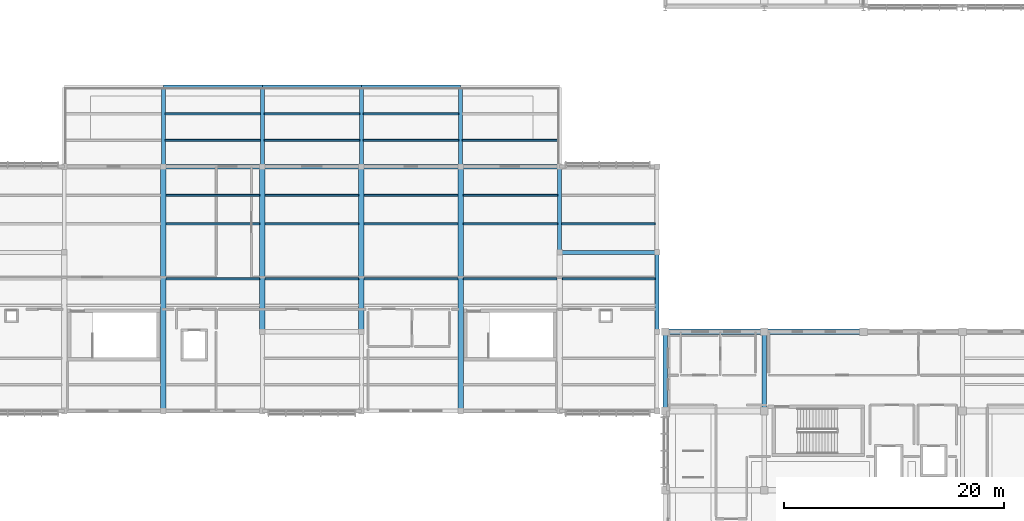
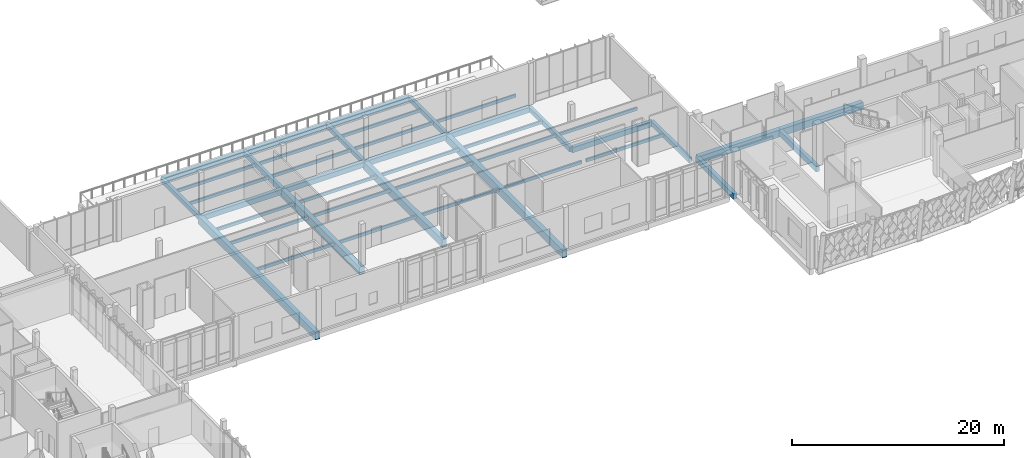
# One storey, part 55 of 177: 43 beams.
"""IFC4 building model written with IfcOpenShell, lengths in metres."""

import ifcopenshell
import ifcopenshell.guid

model = None  # the IFC model being written
_history = None  # IfcOwnerHistory: only IFC2X3 demands one
_inside = {}  # id of a spatial element -> (the spatial element, [elements in it])
_under = {}  # id of a project, library or spatial element -> (it, [spatial elements below it])
_declared = {}  # id of a project -> (the project, [libraries it declares])
_typed = {}  # id of a type object -> (the type object, [elements of that type])
_made_of = {}  # id of a material, layer set ... -> (it, [elements and type objects made of it])


def new_model(schema):
    """Start an empty IFC model of exactly this schema.

    Asked for "IFC4X3", IfcOpenShell would pick the latest addendum, in which some entities
    have other attributes; the version numbers below select the first issue.
    IFC2X3 requires an IfcOwnerHistory on every rooted entity: one is made here for all.
    """
    global model, _history
    if schema == "IFC4X3":
        model = ifcopenshell.file(schema_version=(4, 3, 0, 0))
    else:
        model = ifcopenshell.file(schema=schema)
    _inside.clear()
    _under.clear()
    _declared.clear()
    _typed.clear()
    _made_of.clear()
    _history = None
    if model.schema == "IFC2X3":
        org = make("IfcOrganization", Name="unknown")
        user = make(
            "IfcPersonAndOrganization",
            ThePerson=make("IfcPerson", FamilyName="unknown"),
            TheOrganization=org,
        )
        app = make(
            "IfcApplication",
            ApplicationDeveloper=org,
            Version="unknown",
            ApplicationFullName="unknown",
            ApplicationIdentifier="unknown",
        )
        _history = make(
            "IfcOwnerHistory",
            OwningUser=user,
            OwningApplication=app,
            ChangeAction="ADDED",
            CreationDate=0,
        )
    return model


def make(cls, **values):
    """One entity of the class cls with the attributes given. An attribute that is None is left unset."""
    return model.create_entity(
        cls, **{name: value for name, value in values.items() if value is not None}
    )


def rooted(cls, **values):
    """An entity with a GlobalId (a new one), such as an element, a storey or a relation."""
    return make(cls, GlobalId=ifcopenshell.guid.new(), OwnerHistory=_history, **values)


def si_unit(unit_type, name, prefix=None):
    """IfcSIUnit, for example si_unit("LENGTHUNIT", "METRE", prefix="MILLI")."""
    return make("IfcSIUnit", UnitType=unit_type, Prefix=prefix, Name=name)


def assignment(units):
    """IfcUnitAssignment: the units of a project."""
    return None if units is None else make("IfcUnitAssignment", Units=units)


def point(xyz):
    """IfcCartesianPoint."""
    return None if xyz is None else make("IfcCartesianPoint", Coordinates=xyz)


def direction(xyz):
    """IfcDirection."""
    return None if xyz is None else make("IfcDirection", DirectionRatios=xyz)


def frame(location, z_axis=None, x_axis=None):
    """IfcAxis2Placement3D, a coordinate frame: its origin and axes. An axis left out is left unset."""
    return make(
        "IfcAxis2Placement3D",
        Location=point(location),
        Axis=direction(z_axis),
        RefDirection=direction(x_axis),
    )


def frame_2d(location, x_axis=None):
    """IfcAxis2Placement2D, a coordinate frame in the plane: its origin and x axis."""
    return make(
        "IfcAxis2Placement2D", Location=point(location), RefDirection=direction(x_axis)
    )


def origin():
    """The frame at (0, 0, 0) with its axes left unset."""
    return frame((0.0, 0.0, 0.0))


def origin_2d():
    """The frame at (0, 0) in the plane with its x axis left unset."""
    return frame_2d((0.0, 0.0))


def place(relative_to, where):
    """IfcLocalPlacement: puts the frame where relative to a parent placement (None: the world)."""
    return make(
        "IfcLocalPlacement", PlacementRelTo=relative_to, RelativePlacement=where
    )


def context(
    kind, dimensions, precision=None, world=None, true_north=None, identifier=None
):
    """IfcGeometricRepresentationContext, for example the 3D "Model" context."""
    return make(
        "IfcGeometricRepresentationContext",
        ContextIdentifier=identifier,
        ContextType=kind,
        CoordinateSpaceDimension=dimensions,
        Precision=precision,
        WorldCoordinateSystem=world,
        TrueNorth=true_north,
    )


def subcontext(parent, identifier, kind, view, scale=None):
    """IfcGeometricRepresentationSubContext, for example "Body" below "Model"."""
    return make(
        "IfcGeometricRepresentationSubContext",
        ContextIdentifier=identifier,
        ContextType=kind,
        ParentContext=parent,
        TargetScale=scale,
        TargetView=view,
    )


def project(units=None, contexts=None):
    """IfcProject with its units and contexts."""
    return rooted(
        "IfcProject",
        Name="project",
        RepresentationContexts=contexts,
        UnitsInContext=assignment(units),
    )


def spatial(cls, under=None, at=None, **own):
    """A site, building, storey or space (cls), placed at a placement, below another one or the project."""
    s = rooted(cls, ObjectPlacement=at, **own)
    if under is not None:
        _under.setdefault(under.id(), (under, []))[1].append(s)
    return s


def profile(cls, at=None, kind="AREA", **sizes):
    """A parametric profile (cls). Its sizes go by their IFC names, for example OverallWidth=200.0."""
    return make(cls, ProfileType=kind, Position=at, **sizes)


def rectangle(**sizes):
    """IfcRectangleProfileDef."""
    return profile("IfcRectangleProfileDef", **sizes)


def extrude(swept, where, along, depth):
    """IfcExtrudedAreaSolid: the profile swept, set in the frame where, extruded along a direction by depth."""
    return make(
        "IfcExtrudedAreaSolid",
        SweptArea=swept,
        Position=where,
        ExtrudedDirection=direction(along),
        Depth=depth,
    )


def shape(context_of_items, identifier, shape_type, items):
    """IfcShapeRepresentation: the items that make up one representation, for example the "Body"."""
    return make(
        "IfcShapeRepresentation",
        ContextOfItems=context_of_items,
        RepresentationIdentifier=identifier,
        RepresentationType=shape_type,
        Items=items,
    )


def material(Name=None, Category=None):
    """IfcMaterial."""
    return make("IfcMaterial", Name=Name, Category=Category)


def material_profile(
    of_material, cross_section, Name=None, Category=None, Priority=None
):
    """IfcMaterialProfile: a cross section and its material."""
    return make(
        "IfcMaterialProfile",
        Name=Name,
        Material=of_material,
        Profile=cross_section,
        Priority=Priority,
        Category=Category,
    )


def profile_set(profiles, Name=None, composite=None):
    """IfcMaterialProfileSet."""
    return make(
        "IfcMaterialProfileSet",
        Name=Name,
        MaterialProfiles=profiles,
        CompositeProfile=composite,
    )


def made_of(thing, what):
    """Note that an element or type object is made of a material, layer set ...; save() writes the relation."""
    if what is not None:
        _made_of.setdefault(what.id(), (what, []))[1].append(thing)
    return thing


def type_object(cls, material=None, **own):
    """A type object (cls), such as IfcWallType, which elements share."""
    return made_of(rooted(cls, **own), material)


def element(
    cls,
    number,
    at=None,
    inside=None,
    cuts=None,
    type_object=None,
    material=None,
    context=None,
    identifier="Body",
    shape_type=None,
    held_by="IfcProductDefinitionShape",
    body=None,
    shapes=None,
    **own,
):
    """One element of the class cls, such as IfcWall. Its Tag is "e" and its number.

    at: its placement. inside: the storey or other place that contains it. cuts: it is an
    opening in that element (IfcRelVoidsElement). A single representation is given by context,
    identifier, shape_type and body (its items); several are given by shapes. held_by: the class
    of the entity that holds the representations. save() writes the other relations.
    """
    e = rooted(cls, Tag="e%d" % number, ObjectPlacement=at, **own)
    if body is not None:
        shapes = [shape(context, identifier, shape_type, body)]
    if shapes is not None:
        e.Representation = make(held_by, Representations=shapes)
    if inside is not None:
        _inside.setdefault(inside.id(), (inside, []))[1].append(e)
    if cuts is not None:
        rooted(
            "IfcRelVoidsElement", RelatingBuildingElement=cuts, RelatedOpeningElement=e
        )
    if type_object is not None:
        _typed.setdefault(type_object.id(), (type_object, []))[1].append(e)
    return made_of(e, material)


def aggregate(whole, parts):
    """IfcRelAggregates: a whole, such as a stair, and the parts it consists of."""
    return rooted("IfcRelAggregates", RelatingObject=whole, RelatedObjects=parts)


def save(model, path):
    """Write the relations noted so far, then the file.

    IfcRelAggregates (storeys below a building ...), IfcRelContainedInSpatialStructure (elements
    in a storey), IfcRelDefinesByType, IfcRelAssociatesMaterial and IfcRelDeclares: one each for
    every whole, place, type object, material and project.
    """
    for whole, parts in _under.values():
        aggregate(whole, parts)
    for where, things in _inside.values():
        rooted(
            "IfcRelContainedInSpatialStructure",
            RelatedElements=things,
            RelatingStructure=where,
        )
    for kind, things in _typed.values():
        rooted("IfcRelDefinesByType", RelatedObjects=things, RelatingType=kind)
    for what, things in _made_of.values():
        rooted("IfcRelAssociatesMaterial", RelatedObjects=things, RelatingMaterial=what)
    for by, libraries in _declared.values():
        rooted("IfcRelDeclares", RelatingContext=by, RelatedDefinitions=libraries)
    model.write(path)


model = new_model("IFC4")

# Units and contexts
model_context = context("Model", 3, precision=1e-05, world=origin(), true_north=direction((0.0, 1.0)))
body_context = subcontext(model_context, "Body", "Model", "MODEL_VIEW")
ifc_project = project(units=[si_unit("LENGTHUNIT", "METRE"), si_unit("AREAUNIT", "SQUARE_METRE"), si_unit("VOLUMEUNIT", "CUBIC_METRE"), si_unit("PLANEANGLEUNIT", "RADIAN"), si_unit("MASSUNIT", "GRAM", prefix="KILO")], contexts=[model_context])

# Site, building, storey
site_placement = place(None, origin())
site = spatial("IfcSite", under=ifc_project, at=site_placement, CompositionType="ELEMENT")
building_placement = place(site_placement, origin())
building = spatial("IfcBuilding", under=site, at=building_placement, Name="Chiffa Square Polytechnic", CompositionType="ELEMENT")
storey_placement = place(building_placement, frame((0.0, 0.0, 4.800048828125)))
storey = spatial("IfcBuildingStorey", under=building, at=storey_placement, Name="L01", CompositionType="ELEMENT", Elevation=4.800048828125)

# Beams
ifc_material_1 = material(Name="Concrete C35/45", Category="concrete")
ifc_material_profile_1 = material_profile(ifc_material_1, rectangle(XDim=0.35009765625, YDim=0.550048828125, at=origin_2d()), Name="RC 350x550")
ifc_profile_set_1 = profile_set([ifc_material_profile_1], Name="Concrete C35/45")
beam_type_1 = type_object("IfcBeamType", Name="BM-RC-350X550", PredefinedType="BEAM", material=ifc_profile_set_1)
for number, where, z_axis, x_axis, name in (
    (1, (66.60009765625, 43.800048828125, -0.554931640625), (0.0, 1.0, 0.0), (-1.0, 0.0, 0.0), "Primary floor girder BM-V4-L01-Y-0666-0438"),
    (2, (75.60009765625, 43.800048828125, -0.554931640625), (0.0, 1.0, 0.0), (-1.0, 0.0, 0.0), "Primary floor girder BM-V4-L01-Y-0756-0438"),
    (3, (84.60009765625, 43.800048828125, -0.554931640625), (0.0, 1.0, 0.0), (-1.0, 0.0, 0.0), "Primary floor girder BM-V4-L01-Y-0846-0438"),
    (4, (93.60009765625, 43.800048828125, -0.554931640625), (0.0, 1.0, 0.0), (-1.0, 0.0, 0.0), "Primary floor girder BM-V4-L01-Y-0936-0438"),
):
    element("IfcBeam", number, at=place(storey_placement, frame(where, z_axis=z_axis, x_axis=x_axis)), inside=storey, type_object=beam_type_1, Name=name, PredefinedType="BEAM", context=body_context, shape_type="SweptSolid", body=[
        extrude(rectangle(XDim=0.35009765625, YDim=0.550048828125, at=origin_2d()), origin(), (0.0, 0.0, 1.0), 7.199951171875),
    ])
beam_1_placement = place(storey_placement, frame((102.60009765625, 36.0, -0.554931640625), z_axis=(0.0, 1.0, 0.0), x_axis=(-1.0, 0.0, 0.0)))
element("IfcBeam", 5, at=beam_1_placement, inside=storey, type_object=beam_type_1, Name="Primary floor girder BM-V4-L01-Y-1026-0360", PredefinedType="BEAM", context=body_context, shape_type="SweptSolid", body=[
    extrude(rectangle(XDim=0.35009765625, YDim=0.550048828125, at=origin_2d()), origin(), (0.0, 0.0, 1.0), 7.800048828125),
])
beam_2_placement = place(storey_placement, frame((111.449951171875, 28.800048828125, -0.554931640625), z_axis=(0.0, 1.0, 0.0), x_axis=(-1.0, 0.0, 0.0)))
element("IfcBeam", 6, at=beam_2_placement, inside=storey, type_object=beam_type_1, Name="Primary floor girder BM-V4-L01-Y-1114-0288", PredefinedType="BEAM", context=body_context, shape_type="SweptSolid", body=[
    extrude(rectangle(XDim=0.35009765625, YDim=0.550048828125, at=origin_2d()), origin(), (0.0, 0.0, 1.0), 7.199951171875),
])
ifc_material_profile_2 = material_profile(ifc_material_1, rectangle(XDim=0.39990234375, YDim=0.60009765625, at=origin_2d()), Name="RC 400x600")
ifc_profile_set_2 = profile_set([ifc_material_profile_2], Name="Concrete C35/45")
beam_type_2 = type_object("IfcBeamType", Name="BM-RC-400X600", PredefinedType="BEAM", material=ifc_profile_set_2)
beam_3_placement = place(storey_placement, frame((102.60009765625, 36.0, -0.580078125), z_axis=(1.0, 0.0, 0.0), x_axis=(0.0, 1.0, 0.0)))
element("IfcBeam", 7, at=beam_3_placement, inside=storey, type_object=beam_type_2, Name="Primary floor girder BM-V4-L01-X-1026-0360", PredefinedType="BEAM", context=body_context, shape_type="SweptSolid", body=[
    extrude(rectangle(XDim=0.39990234375, YDim=0.60009765625, at=origin_2d()), origin(), (0.0, 0.0, 1.0), 8.849853515625),
])
for number, where, z_axis, x_axis, name in (
    (8, (66.60009765625, 43.800048828125, -0.580078125), (1.0, 0.0, 0.0), (0.0, 1.0, 0.0), "Primary floor girder BM-V4-L01-X-0666-0438"),
    (9, (75.60009765625, 43.800048828125, -0.580078125), (1.0, 0.0, 0.0), (0.0, 1.0, 0.0), "Primary floor girder BM-V4-L01-X-0756-0438"),
    (10, (84.60009765625, 43.800048828125, -0.580078125), (1.0, 0.0, 0.0), (0.0, 1.0, 0.0), "Primary floor girder BM-V4-L01-X-0846-0438"),
    (11, (93.60009765625, 43.800048828125, -0.580078125), (1.0, 0.0, 0.0), (0.0, 1.0, 0.0), "Primary floor girder BM-V4-L01-X-0936-0438"),
    (12, (66.60009765625, 51.0, -0.580078125), (1.0, 0.0, 0.0), (0.0, 1.0, 0.0), "Primary floor girder BM-V4-L01-X-0666-0510"),
    (13, (75.60009765625, 51.0, -0.580078125), (1.0, 0.0, 0.0), (0.0, 1.0, 0.0), "Primary floor girder BM-V4-L01-X-0756-0510"),
    (14, (84.60009765625, 51.0, -0.580078125), (1.0, 0.0, 0.0), (0.0, 1.0, 0.0), "Primary floor girder BM-V4-L01-X-0846-0510"),
):
    element("IfcBeam", number, at=place(storey_placement, frame(where, z_axis=z_axis, x_axis=x_axis)), inside=storey, type_object=beam_type_2, Name=name, PredefinedType="BEAM", context=body_context, shape_type="SweptSolid", body=[
        extrude(rectangle(XDim=0.39990234375, YDim=0.60009765625, at=origin_2d()), origin(), (0.0, 0.0, 1.0), 9.0),
    ])
ifc_material_profile_3 = material_profile(ifc_material_1, rectangle(XDim=0.39990234375, YDim=0.64990234375, at=origin_2d()), Name="RC 400x650")
ifc_profile_set_3 = profile_set([ifc_material_profile_3], Name="Concrete C35/45")
beam_type_3 = type_object("IfcBeamType", Name="BM-RC-400X650", PredefinedType="BEAM", material=ifc_profile_set_3)
for number, where, z_axis, x_axis, name in (
    (15, (112.199951171875, 21.60009765625, -0.60498046875), (0.0, 1.0, 0.0), (-1.0, 0.0, 0.0), "Primary floor girder BM-V1-L01-Y-1122-0216"),
    (16, (121.199951171875, 21.60009765625, -0.60498046875), (0.0, 1.0, 0.0), (-1.0, 0.0, 0.0), "Primary floor girder BM-V1-L01-Y-1212-0216"),
):
    element("IfcBeam", number, at=place(storey_placement, frame(where, z_axis=z_axis, x_axis=x_axis)), inside=storey, type_object=beam_type_3, Name=name, PredefinedType="BEAM", context=body_context, shape_type="SweptSolid", body=[
        extrude(rectangle(XDim=0.39990234375, YDim=0.64990234375, at=origin_2d()), origin(), (0.0, 0.0, 1.0), 7.199951171875),
    ])
ifc_material_2 = material(Name="Concrete C40/50", Category="concrete")
ifc_material_profile_4 = material_profile(ifc_material_2, rectangle(XDim=0.5, YDim=0.800048828125, at=origin_2d()), Name="RC 500x800")
ifc_profile_set_4 = profile_set([ifc_material_profile_4], Name="Concrete C40/50")
beam_type_4 = type_object("IfcBeamType", Name="BM-RC-500X800", PredefinedType="BEAM", material=ifc_profile_set_4)
for number, where, z_axis, x_axis, name in (
    (17, (112.199951171875, 28.800048828125, -0.679931640625), (1.0, 0.0, 0.0), (0.0, 1.0, 0.0), "Primary floor girder BM-V1-L01-X-1122-0288"),
    (18, (121.199951171875, 28.800048828125, -0.679931640625), (1.0, 0.0, 0.0), (0.0, 1.0, 0.0), "Primary floor girder BM-V1-L01-X-1212-0288"),
):
    element("IfcBeam", number, at=place(storey_placement, frame(where, z_axis=z_axis, x_axis=x_axis)), inside=storey, type_object=beam_type_4, Name=name, PredefinedType="BEAM", context=body_context, shape_type="SweptSolid", body=[
        extrude(rectangle(XDim=0.5, YDim=0.800048828125, at=origin_2d()), origin(), (0.0, 0.0, 1.0), 9.0),
    ])
ifc_material_profile_5 = material_profile(ifc_material_2, rectangle(XDim=0.5, YDim=0.89990234375, at=origin_2d()), Name="RC 500x900")
ifc_profile_set_5 = profile_set([ifc_material_profile_5], Name="Concrete C40/50")
beam_type_5 = type_object("IfcBeamType", Name="BM-RC-500X900", PredefinedType="BEAM", material=ifc_profile_set_5)
beam_4_placement = place(storey_placement, frame((66.60009765625, 21.60009765625, -0.72998046875), z_axis=(0.0, 1.0, 0.0), x_axis=(-1.0, 0.0, 0.0)))
element("IfcBeam", 19, at=beam_4_placement, inside=storey, type_object=beam_type_5, Name="Primary floor girder BM-V4-L01-Y-0666-0216", PredefinedType="BEAM", context=body_context, shape_type="SweptSolid", body=[
    extrude(rectangle(XDim=0.5, YDim=0.89990234375, at=origin_2d()), origin(), (0.0, 0.0, 1.0), 22.199951171875),
])
for number, where, z_axis, x_axis, name in (
    (20, (75.60009765625, 28.800048828125, -0.72998046875), (0.0, 1.0, 0.0), (-1.0, 0.0, 0.0), "Primary floor girder BM-V4-L01-Y-0756-0288"),
    (21, (84.60009765625, 28.800048828125, -0.72998046875), (0.0, 1.0, 0.0), (-1.0, 0.0, 0.0), "Primary floor girder BM-V4-L01-Y-0846-0288"),
):
    element("IfcBeam", number, at=place(storey_placement, frame(where, z_axis=z_axis, x_axis=x_axis)), inside=storey, type_object=beam_type_5, Name=name, PredefinedType="BEAM", context=body_context, shape_type="SweptSolid", body=[
        extrude(rectangle(XDim=0.5, YDim=0.89990234375, at=origin_2d()), origin(), (0.0, 0.0, 1.0), 15.0),
    ])
beam_5_placement = place(storey_placement, frame((93.60009765625, 21.60009765625, -0.72998046875), z_axis=(0.0, 1.0, 0.0), x_axis=(-1.0, 0.0, 0.0)))
element("IfcBeam", 22, at=beam_5_placement, inside=storey, type_object=beam_type_5, Name="Primary floor girder BM-V4-L01-Y-0936-0216", PredefinedType="BEAM", context=body_context, shape_type="SweptSolid", body=[
    extrude(rectangle(XDim=0.5, YDim=0.89990234375, at=origin_2d()), origin(), (0.0, 0.0, 1.0), 22.199951171875),
])
ifc_material_3 = material(Name="Glulam GL28h", Category="wood")
ifc_material_profile_6 = material_profile(ifc_material_3, rectangle(XDim=0.179931640625, YDim=0.360107421875, at=origin_2d()), Name="GL28h 180x360")
ifc_profile_set_6 = profile_set([ifc_material_profile_6], Name="Glulam GL28h")
beam_type_6 = type_object("IfcBeamType", Name="JST-GL-180X360", PredefinedType="JOIST", material=ifc_profile_set_6)
for number, where, z_axis, x_axis, name in (
    (23, (66.847900390625, 33.60009765625, -0.4599609375), (1.0, 0.0, 0.0), (0.0, 1.0, 0.0), "Secondary floor joist JST-V4-L01-0666-0336"),
    (24, (66.847900390625, 38.60009765625, -0.4599609375), (1.0, 0.0, 0.0), (0.0, 1.0, 0.0), "Secondary floor joist JST-V4-L01-0666-0386"),
    (25, (66.847900390625, 41.199951171875, -0.4599609375), (1.0, 0.0, 0.0), (0.0, 1.0, 0.0), "Secondary floor joist JST-V4-L01-0666-0412"),
):
    element("IfcBeam", number, at=place(storey_placement, frame(where, z_axis=z_axis, x_axis=x_axis)), inside=storey, type_object=beam_type_6, Name=name, PredefinedType="JOIST", context=body_context, shape_type="SweptSolid", body=[
        extrude(rectangle(XDim=0.179931640625, YDim=0.360107421875, at=origin_2d()), origin(), (0.0, 0.0, 1.0), 8.504150390625),
    ])
for number, where, z_axis, x_axis, name in (
    (26, (66.77294921875, 46.199951171875, -0.4599609375), (1.0, 0.0, 0.0), (0.0, 1.0, 0.0), "Secondary floor joist JST-V4-L01-0666-0462"),
    (27, (66.77294921875, 48.60009765625, -0.4599609375), (1.0, 0.0, 0.0), (0.0, 1.0, 0.0), "Secondary floor joist JST-V4-L01-0666-0486"),
):
    element("IfcBeam", number, at=place(storey_placement, frame(where, z_axis=z_axis, x_axis=x_axis)), inside=storey, type_object=beam_type_6, Name=name, PredefinedType="JOIST", context=body_context, shape_type="SweptSolid", body=[
        extrude(rectangle(XDim=0.179931640625, YDim=0.360107421875, at=origin_2d()), origin(), (0.0, 0.0, 1.0), 8.654052734375),
    ])
for number, where, z_axis, x_axis, name in (
    (28, (75.847900390625, 33.60009765625, -0.4599609375), (1.0, 0.0, 0.0), (0.0, 1.0, 0.0), "Secondary floor joist JST-V4-L01-0756-0336"),
    (29, (75.847900390625, 38.60009765625, -0.4599609375), (1.0, 0.0, 0.0), (0.0, 1.0, 0.0), "Secondary floor joist JST-V4-L01-0756-0386"),
    (30, (75.847900390625, 41.199951171875, -0.4599609375), (1.0, 0.0, 0.0), (0.0, 1.0, 0.0), "Secondary floor joist JST-V4-L01-0756-0412"),
):
    element("IfcBeam", number, at=place(storey_placement, frame(where, z_axis=z_axis, x_axis=x_axis)), inside=storey, type_object=beam_type_6, Name=name, PredefinedType="JOIST", context=body_context, shape_type="SweptSolid", body=[
        extrude(rectangle(XDim=0.179931640625, YDim=0.360107421875, at=origin_2d()), origin(), (0.0, 0.0, 1.0), 8.504150390625),
    ])
for number, where, z_axis, x_axis, name in (
    (31, (75.77294921875, 46.199951171875, -0.4599609375), (1.0, 0.0, 0.0), (0.0, 1.0, 0.0), "Secondary floor joist JST-V4-L01-0756-0462"),
    (32, (75.77294921875, 48.60009765625, -0.4599609375), (1.0, 0.0, 0.0), (0.0, 1.0, 0.0), "Secondary floor joist JST-V4-L01-0756-0486"),
):
    element("IfcBeam", number, at=place(storey_placement, frame(where, z_axis=z_axis, x_axis=x_axis)), inside=storey, type_object=beam_type_6, Name=name, PredefinedType="JOIST", context=body_context, shape_type="SweptSolid", body=[
        extrude(rectangle(XDim=0.179931640625, YDim=0.360107421875, at=origin_2d()), origin(), (0.0, 0.0, 1.0), 8.654052734375),
    ])
for number, where, z_axis, x_axis, name in (
    (33, (84.847900390625, 33.60009765625, -0.4599609375), (1.0, 0.0, 0.0), (0.0, 1.0, 0.0), "Secondary floor joist JST-V4-L01-0846-0336"),
    (34, (84.847900390625, 38.60009765625, -0.4599609375), (1.0, 0.0, 0.0), (0.0, 1.0, 0.0), "Secondary floor joist JST-V4-L01-0846-0386"),
    (35, (84.847900390625, 41.199951171875, -0.4599609375), (1.0, 0.0, 0.0), (0.0, 1.0, 0.0), "Secondary floor joist JST-V4-L01-0846-0412"),
):
    element("IfcBeam", number, at=place(storey_placement, frame(where, z_axis=z_axis, x_axis=x_axis)), inside=storey, type_object=beam_type_6, Name=name, PredefinedType="JOIST", context=body_context, shape_type="SweptSolid", body=[
        extrude(rectangle(XDim=0.179931640625, YDim=0.360107421875, at=origin_2d()), origin(), (0.0, 0.0, 1.0), 8.504150390625),
    ])
for number, where, z_axis, x_axis, name in (
    (36, (84.77294921875, 46.199951171875, -0.4599609375), (1.0, 0.0, 0.0), (0.0, 1.0, 0.0), "Secondary floor joist JST-V4-L01-0846-0462"),
    (37, (84.77294921875, 48.60009765625, -0.4599609375), (1.0, 0.0, 0.0), (0.0, 1.0, 0.0), "Secondary floor joist JST-V4-L01-0846-0486"),
):
    element("IfcBeam", number, at=place(storey_placement, frame(where, z_axis=z_axis, x_axis=x_axis)), inside=storey, type_object=beam_type_6, Name=name, PredefinedType="JOIST", context=body_context, shape_type="SweptSolid", body=[
        extrude(rectangle(XDim=0.179931640625, YDim=0.360107421875, at=origin_2d()), origin(), (0.0, 0.0, 1.0), 8.654052734375),
    ])
beam_6_placement = place(storey_placement, frame((93.847900390625, 33.60009765625, -0.4599609375), z_axis=(1.0, 0.0, 0.0), x_axis=(0.0, 1.0, 0.0)))
element("IfcBeam", 38, at=beam_6_placement, inside=storey, type_object=beam_type_6, Name="Secondary floor joist JST-V4-L01-0936-0336", PredefinedType="JOIST", context=body_context, shape_type="SweptSolid", body=[
    extrude(rectangle(XDim=0.179931640625, YDim=0.360107421875, at=origin_2d()), origin(), (0.0, 0.0, 1.0), 8.504150390625),
])
for number, where, z_axis, x_axis, name in (
    (39, (93.847900390625, 38.60009765625, -0.4599609375), (1.0, 0.0, 0.0), (0.0, 1.0, 0.0), "Secondary floor joist JST-V4-L01-0936-0386"),
    (40, (93.847900390625, 41.199951171875, -0.4599609375), (1.0, 0.0, 0.0), (0.0, 1.0, 0.0), "Secondary floor joist JST-V4-L01-0936-0412"),
):
    element("IfcBeam", number, at=place(storey_placement, frame(where, z_axis=z_axis, x_axis=x_axis)), inside=storey, type_object=beam_type_6, Name=name, PredefinedType="JOIST", context=body_context, shape_type="SweptSolid", body=[
        extrude(rectangle(XDim=0.179931640625, YDim=0.360107421875, at=origin_2d()), origin(), (0.0, 0.0, 1.0), 8.5791015625),
    ])
beam_7_placement = place(storey_placement, frame((93.77294921875, 46.199951171875, -0.4599609375), z_axis=(1.0, 0.0, 0.0), x_axis=(0.0, 1.0, 0.0)))
element("IfcBeam", 41, at=beam_7_placement, inside=storey, type_object=beam_type_6, Name="Secondary floor joist JST-V4-L01-0936-0462", PredefinedType="JOIST", context=body_context, shape_type="SweptSolid", body=[
    extrude(rectangle(XDim=0.179931640625, YDim=0.360107421875, at=origin_2d()), origin(), (0.0, 0.0, 1.0), 8.654052734375),
])
beam_8_placement = place(storey_placement, frame((102.847900390625, 33.60009765625, -0.4599609375), z_axis=(1.0, 0.0, 0.0), x_axis=(0.0, 1.0, 0.0)))
element("IfcBeam", 42, at=beam_8_placement, inside=storey, type_object=beam_type_6, Name="Secondary floor joist JST-V4-L01-1026-0336", PredefinedType="JOIST", context=body_context, shape_type="SweptSolid", body=[
    extrude(rectangle(XDim=0.179931640625, YDim=0.360107421875, at=origin_2d()), origin(), (0.0, 0.0, 1.0), 8.42919921875),
])
beam_9_placement = place(storey_placement, frame((102.77294921875, 38.60009765625, -0.4599609375), z_axis=(1.0, 0.0, 0.0), x_axis=(0.0, 1.0, 0.0)))
element("IfcBeam", 43, at=beam_9_placement, inside=storey, type_object=beam_type_6, Name="Secondary floor joist JST-V4-L01-1026-0386", PredefinedType="JOIST", context=body_context, shape_type="SweptSolid", body=[
    extrude(rectangle(XDim=0.179931640625, YDim=0.360107421875, at=origin_2d()), origin(), (0.0, 0.0, 1.0), 8.504150390625),
])

save(model, "model.ifc")
